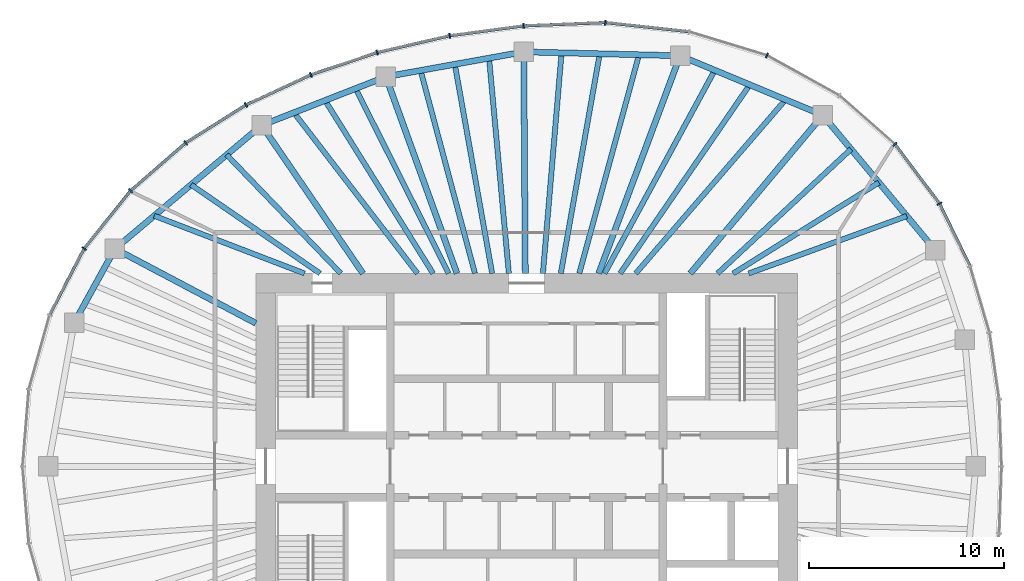
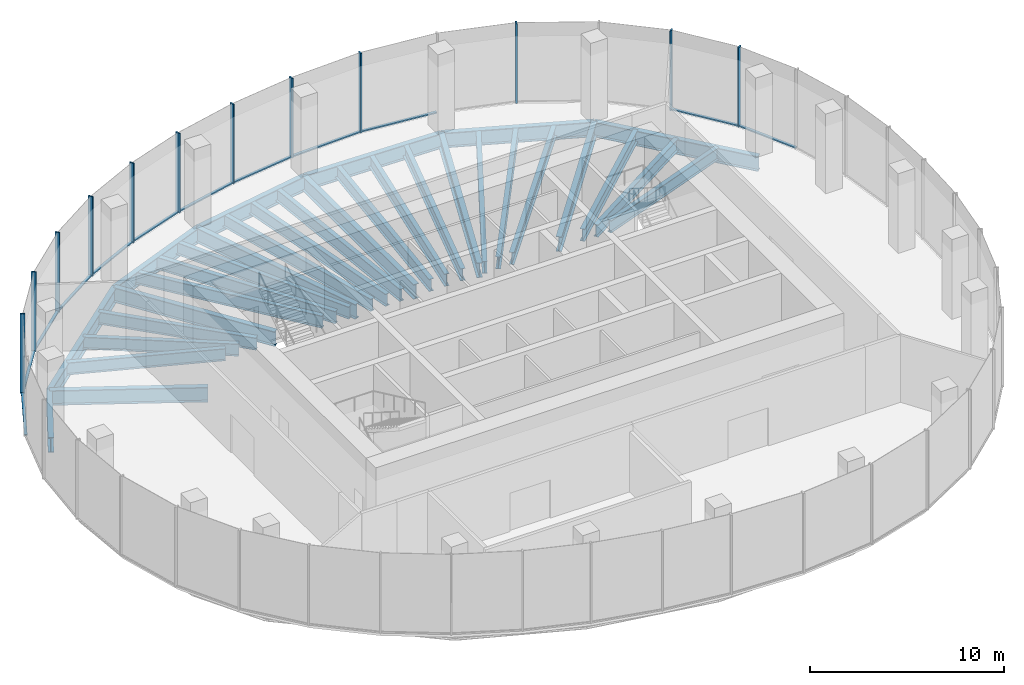
# One storey, part 5 of 11: 31 beams, 24 members, 8 elements without a shape of their own.
"""IFC4 building model written with IfcOpenShell, lengths in metres."""

from ifc_helpers import new_model, si_unit, direction, frame, origin, origin_2d, place, context, subcontext, project, spatial, rectangle, i_section, extrude, material, material_profile, profile_set, type_object, element, aggregate, save


model = new_model("IFC4")

# Units and contexts
model_context = context("Model", 3, precision=1e-05, world=origin(), true_north=direction((0.0, 1.0)))
body_context = subcontext(model_context, "Body", "Model", "MODEL_VIEW")
ifc_project = project(units=[si_unit("LENGTHUNIT", "METRE"), si_unit("AREAUNIT", "SQUARE_METRE"), si_unit("VOLUMEUNIT", "CUBIC_METRE"), si_unit("PLANEANGLEUNIT", "RADIAN"), si_unit("MASSUNIT", "GRAM", prefix="KILO")], contexts=[model_context])

# Site, building, storey
site_placement = place(None, origin())
site = spatial("IfcSite", under=ifc_project, at=site_placement, CompositionType="ELEMENT")
building_placement = place(site_placement, origin())
building = spatial("IfcBuilding", under=site, at=building_placement, Name="Ghaith Harvest Tower", CompositionType="ELEMENT")
storey_placement = place(building_placement, frame((0.0, 0.0, 339.199951171875)))
storey = spatial("IfcBuildingStorey", under=building, at=storey_placement, Name="L76", CompositionType="ELEMENT", Elevation=339.199951171875)

# Curtain wall, members
ifc_material_1 = material(Name="Black anodised aluminium and fritted glass", Category="aluminium")
curtain_wall_type = type_object("IfcCurtainWallType", Name="CW-C CURTAIN WALL", PredefinedType="NOTDEFINED", material=ifc_material_1)
curtain_wall_1_placement = place(storey_placement, origin())
curtain_wall_1 = element("IfcCurtainWall", 1, at=curtain_wall_1_placement, inside=storey, type_object=curtain_wall_type, Name="Curtain wall CW-C bay 03 L76", PredefinedType="NOTDEFINED")
ifc_material_2 = material(Name="Aluminium, black anodised", Category="aluminium")
ifc_material_profile_1 = material_profile(ifc_material_2, rectangle(XDim=0.080078125, YDim=0.260009765625, at=origin_2d()), Name="CW-C MULLION 80x260")
ifc_profile_set_1 = profile_set([ifc_material_profile_1], Name="Aluminium, black anodised")
member_type_1 = type_object("IfcMemberType", Name="CW-C MULLION 80x260", PredefinedType="MULLION", material=ifc_profile_set_1)
member_1_placement = place(storey_placement, frame((21.18896484375, 13.48486328125, 0.0), z_axis=(0.0, 0.0, 1.0), x_axis=(-0.524482238522, 0.851421388899, 0.0)))
member_1 = element("IfcMember", 2, at=member_1_placement, type_object=member_type_1, Name="CW-C mullion 1 bay 03 L76", PredefinedType="MULLION", context=body_context, shape_type="SweptSolid", body=[
    extrude(rectangle(XDim=0.080078125, YDim=0.260009765625, at=origin_2d()), origin(), (0.0, 0.0, 1.0), 5.0),
])
member_2_placement = place(storey_placement, frame((18.901123046875, 16.527099609375, 0.0), z_axis=(0.0, 0.0, 1.0), x_axis=(-0.679660897075, 0.733526458274, 0.0)))
member_2 = element("IfcMember", 3, at=member_2_placement, type_object=member_type_1, Name="CW-C mullion 2 bay 03 L76", PredefinedType="MULLION", context=body_context, shape_type="SweptSolid", body=[
    extrude(rectangle(XDim=0.080078125, YDim=0.260009765625, at=origin_2d()), origin(), (0.0, 0.0, 1.0), 5.0),
])

# Curtain wall, member
curtain_wall_2_placement = place(storey_placement, origin())
curtain_wall_2 = element("IfcCurtainWall", 4, at=curtain_wall_2_placement, inside=storey, type_object=curtain_wall_type, Name="Curtain wall CW-C bay 04 L76", PredefinedType="NOTDEFINED")
member_3_placement = place(storey_placement, frame((12.334228515625, 21.091796875, 0.0), z_axis=(0.0, 0.0, 1.0), x_axis=(-0.920319269246, 0.391168049123, 0.0)))
member_3 = element("IfcMember", 5, at=member_3_placement, type_object=member_type_1, Name="CW-C mullion 2 bay 04 L76", PredefinedType="MULLION", context=body_context, shape_type="SweptSolid", body=[
    extrude(rectangle(XDim=0.080078125, YDim=0.260009765625, at=origin_2d()), origin(), (0.0, 0.0, 1.0), 5.0),
])
aggregate(curtain_wall_2, [member_3])

curtain_wall_3_placement = place(storey_placement, origin())
curtain_wall_3 = element("IfcCurtainWall", 6, at=curtain_wall_3_placement, inside=storey, type_object=curtain_wall_type, Name="Curtain wall CW-C bay 05 L76", PredefinedType="NOTDEFINED")
member_4_placement = place(storey_placement, frame((4.037841796875, 22.776611328125, 0.0), z_axis=(0.0, 0.0, 1.0), x_axis=(-0.999388631236, 0.034962319079, 0.0)))
member_4 = element("IfcMember", 7, at=member_4_placement, type_object=member_type_1, Name="CW-C mullion 2 bay 05 L76", PredefinedType="MULLION", context=body_context, shape_type="SweptSolid", body=[
    extrude(rectangle(XDim=0.080078125, YDim=0.260009765625, at=origin_2d()), origin(), (0.0, 0.0, 1.0), 5.0),
])

# Curtain wall, members
curtain_wall_4_placement = place(storey_placement, origin())
curtain_wall_4 = element("IfcCurtainWall", 8, at=curtain_wall_4_placement, inside=storey, type_object=curtain_wall_type, Name="Curtain wall CW-C bay 06 L76", PredefinedType="NOTDEFINED")
member_5_placement = place(storey_placement, frame((-0.15478515625, 22.60595703125, 0.0), z_axis=(0.0, 0.0, 1.0), x_axis=(-0.996414855482, -0.084601629853, 0.0)))
member_5 = element("IfcMember", 9, at=member_5_placement, type_object=member_type_1, Name="CW-C mullion 1 bay 06 L76", PredefinedType="MULLION", context=body_context, shape_type="SweptSolid", body=[
    extrude(rectangle(XDim=0.080078125, YDim=0.260009765625, at=origin_2d()), origin(), (0.0, 0.0, 1.0), 5.0),
])
member_6_placement = place(storey_placement, frame((-3.946533203125, 22.0986328125, 0.0), z_axis=(0.0, 0.0, 1.0), x_axis=(-0.983843447681, -0.179030920389, 0.0)))
member_6 = element("IfcMember", 10, at=member_6_placement, type_object=member_type_1, Name="CW-C mullion 2 bay 06 L76", PredefinedType="MULLION", context=body_context, shape_type="SweptSolid", body=[
    extrude(rectangle(XDim=0.080078125, YDim=0.260009765625, at=origin_2d()), origin(), (0.0, 0.0, 1.0), 5.0),
])

curtain_wall_5_placement = place(storey_placement, origin())
curtain_wall_5 = element("IfcCurtainWall", 11, at=curtain_wall_5_placement, inside=storey, type_object=curtain_wall_type, Name="Curtain wall CW-C bay 07 L76", PredefinedType="NOTDEFINED")
member_7_placement = place(storey_placement, frame((-7.6708984375, 21.23828125, 0.0), z_axis=(0.0, 0.0, 1.0), x_axis=(-0.962552491436, -0.27109537294, 0.0)))
member_7 = element("IfcMember", 12, at=member_7_placement, type_object=member_type_1, Name="CW-C mullion 1 bay 07 L76", PredefinedType="MULLION", context=body_context, shape_type="SweptSolid", body=[
    extrude(rectangle(XDim=0.080078125, YDim=0.260009765625, at=origin_2d()), origin(), (0.0, 0.0, 1.0), 5.0),
])
member_8_placement = place(storey_placement, frame((-11.0673828125, 20.093017578125, 0.0), z_axis=(0.0, 0.0, 1.0), x_axis=(-0.928624420706, -0.371021138573, 0.0)))
member_8 = element("IfcMember", 13, at=member_8_placement, type_object=member_type_1, Name="CW-C mullion 2 bay 07 L76", PredefinedType="MULLION", context=body_context, shape_type="SweptSolid", body=[
    extrude(rectangle(XDim=0.080078125, YDim=0.260009765625, at=origin_2d()), origin(), (0.0, 0.0, 1.0), 5.0),
])

curtain_wall_6_placement = place(storey_placement, origin())
curtain_wall_6 = element("IfcCurtainWall", 14, at=curtain_wall_6_placement, inside=storey, type_object=curtain_wall_type, Name="Curtain wall CW-C bay 08 L76", PredefinedType="NOTDEFINED")
member_9_placement = place(storey_placement, frame((-14.40478515625, 18.5478515625, 0.0), z_axis=(0.0, 0.0, 1.0), x_axis=(-0.87867173244, -0.477426420101, 0.0)))
member_9 = element("IfcMember", 15, at=member_9_placement, type_object=member_type_1, Name="CW-C mullion 1 bay 08 L76", PredefinedType="MULLION", context=body_context, shape_type="SweptSolid", body=[
    extrude(rectangle(XDim=0.080078125, YDim=0.260009765625, at=origin_2d()), origin(), (0.0, 0.0, 1.0), 5.0),
])
member_10_placement = place(storey_placement, frame((-17.49462890625, 16.600830078125, 0.0), z_axis=(0.0, 0.0, 1.0), x_axis=(-0.802189888678, -0.597068993084, 0.0)))
member_10 = element("IfcMember", 16, at=member_10_placement, type_object=member_type_1, Name="CW-C mullion 2 bay 08 L76", PredefinedType="MULLION", context=body_context, shape_type="SweptSolid", body=[
    extrude(rectangle(XDim=0.080078125, YDim=0.260009765625, at=origin_2d()), origin(), (0.0, 0.0, 1.0), 5.0),
])

curtain_wall_7_placement = place(storey_placement, origin())
curtain_wall_7 = element("IfcCurtainWall", 17, at=curtain_wall_7_placement, inside=storey, type_object=curtain_wall_type, Name="Curtain wall CW-C bay 09 L76", PredefinedType="NOTDEFINED")
member_11_placement = place(storey_placement, frame((-20.324462890625, 14.141845703125, 0.0), z_axis=(0.0, 0.0, 1.0), x_axis=(-0.692826491995, -0.72110432809, 0.0)))
member_11 = element("IfcMember", 18, at=member_11_placement, type_object=member_type_1, Name="CW-C mullion 1 bay 09 L76", PredefinedType="MULLION", context=body_context, shape_type="SweptSolid", body=[
    extrude(rectangle(XDim=0.080078125, YDim=0.260009765625, at=origin_2d()), origin(), (0.0, 0.0, 1.0), 5.0),
])
member_12_placement = place(storey_placement, frame((-22.706298828125, 11.176513671875, 0.0), z_axis=(0.0, 0.0, 1.0), x_axis=(-0.545865412621, -0.837872872997, 0.0)))
member_12 = element("IfcMember", 19, at=member_12_placement, type_object=member_type_1, Name="CW-C mullion 2 bay 09 L76", PredefinedType="MULLION", context=body_context, shape_type="SweptSolid", body=[
    extrude(rectangle(XDim=0.080078125, YDim=0.260009765625, at=origin_2d()), origin(), (0.0, 0.0, 1.0), 5.0),
])

# Curtain wall, member
curtain_wall_8_placement = place(storey_placement, origin())
curtain_wall_8 = element("IfcCurtainWall", 20, at=curtain_wall_8_placement, inside=storey, type_object=curtain_wall_type, Name="Curtain wall CW-C bay 02 L76", PredefinedType="NOTDEFINED")
ifc_material_3 = material(Name="Aluminium, black anodised", Category="aluminium")
ifc_material_profile_2 = material_profile(ifc_material_3, rectangle(XDim=0.159912109375, YDim=0.080078125, at=origin_2d()), Name="CW-C TRANSOM 160x80")
ifc_profile_set_2 = profile_set([ifc_material_profile_2], Name="Aluminium, black anodised")
member_type_2 = type_object("IfcMemberType", Name="CW-C TRANSOM 160x80", PredefinedType="USERDEFINED", material=ifc_profile_set_2)
member_13_placement = place(storey_placement, frame((22.736572265625, 10.308349609375, 0.0400390625), z_axis=(-0.437965078712, 0.898991985408, 0.0), x_axis=(-0.898991985408, -0.437965078712, 0.0)))
member_13 = element("IfcMember", 21, at=member_13_placement, type_object=member_type_2, Name="CW-C transom 2 bay 02 L76", ObjectType="TRANSOM", PredefinedType="USERDEFINED", context=body_context, shape_type="SweptSolid", body=[
    extrude(rectangle(XDim=0.159912109375, YDim=0.080078125, at=origin_2d()), origin(), (0.0, 0.0, 1.0), 3.493408203125),
])
aggregate(curtain_wall_8, [member_13])

# Member
member_14_placement = place(storey_placement, frame((21.1650390625, 13.516845703125, 0.0400390625), z_axis=(-0.601079103045, 0.799189534392, 0.0), x_axis=(-0.799189534392, -0.601079103045, 0.0)))
member_14 = element("IfcMember", 22, at=member_14_placement, type_object=member_type_2, Name="CW-C transom 1 bay 03 L76", ObjectType="TRANSOM", PredefinedType="USERDEFINED", context=body_context, shape_type="SweptSolid", body=[
    extrude(rectangle(XDim=0.159912109375, YDim=0.080078125, at=origin_2d()), origin(), (0.0, 0.0, 1.0), 3.7265625),
])

aggregate(curtain_wall_1, [member_1, member_14, member_2])

member_15_placement = place(storey_placement, frame((8.300048828125, 22.313232421875, 0.0400390625), z_axis=(-0.994144463069, 0.108059180768, 0.0), x_axis=(-0.108059180768, -0.994144463069, 0.0)))
member_15 = element("IfcMember", 23, at=member_15_placement, type_object=member_type_2, Name="CW-C transom 1 bay 05 L76", ObjectType="TRANSOM", PredefinedType="USERDEFINED", context=body_context, shape_type="SweptSolid", body=[
    extrude(rectangle(XDim=0.159912109375, YDim=0.080078125, at=origin_2d()), origin(), (0.0, 0.0, 1.0), 4.24755859375),
])

member_16_placement = place(storey_placement, frame((3.997802734375, 22.77490234375, 0.0400390625), z_axis=(-0.999174207562, -0.040631304968, 0.0), x_axis=(0.040631304968, -0.999174207562, 0.0)))
member_16 = element("IfcMember", 24, at=member_16_placement, type_object=member_type_2, Name="CW-C transom 2 bay 05 L76", ObjectType="TRANSOM", PredefinedType="USERDEFINED", context=body_context, shape_type="SweptSolid", body=[
    extrude(rectangle(XDim=0.159912109375, YDim=0.080078125, at=origin_2d()), origin(), (0.0, 0.0, 1.0), 4.115966796875),
])

aggregate(curtain_wall_3, [member_15, member_4, member_16])

member_17_placement = place(storey_placement, frame((-0.1943359375, 22.6005859375, 0.0400390625), z_axis=(-0.99117202259, -0.132582131655, 0.0), x_axis=(0.132582131655, -0.99117202259, 0.0)))
member_17 = element("IfcMember", 25, at=member_17_placement, type_object=member_type_2, Name="CW-C transom 1 bay 06 L76", ObjectType="TRANSOM", PredefinedType="USERDEFINED", context=body_context, shape_type="SweptSolid", body=[
    extrude(rectangle(XDim=0.159912109375, YDim=0.080078125, at=origin_2d()), origin(), (0.0, 0.0, 1.0), 3.745361328125),
])

member_18_placement = place(storey_placement, frame((-3.9853515625, 22.089599609375, 0.0400390625), z_axis=(-0.974344997799, -0.225059603803, 0.0), x_axis=(0.225059603803, -0.974344997799, 0.0)))
member_18 = element("IfcMember", 26, at=member_18_placement, type_object=member_type_2, Name="CW-C transom 2 bay 06 L76", ObjectType="TRANSOM", PredefinedType="USERDEFINED", context=body_context, shape_type="SweptSolid", body=[
    extrude(rectangle(XDim=0.159912109375, YDim=0.080078125, at=origin_2d()), origin(), (0.0, 0.0, 1.0), 3.742431640625),
])

aggregate(curtain_wall_4, [member_5, member_17, member_6, member_18])

member_19_placement = place(storey_placement, frame((-7.708740234375, 21.2255859375, 0.0400390625), z_axis=(-0.9475698206, -0.319548799228, 0.0), x_axis=(0.319548799228, -0.9475698206, 0.0)))
member_19 = element("IfcMember", 27, at=member_19_placement, type_object=member_type_2, Name="CW-C transom 1 bay 07 L76", ObjectType="TRANSOM", PredefinedType="USERDEFINED", context=body_context, shape_type="SweptSolid", body=[
    extrude(rectangle(XDim=0.159912109375, YDim=0.080078125, at=origin_2d()), origin(), (0.0, 0.0, 1.0), 3.504638671875),
])

member_20_placement = place(storey_placement, frame((-11.103759765625, 20.076171875, 0.0400390625), z_axis=(-0.907472177056, -0.420112184862, 0.0), x_axis=(0.420112184862, -0.907472177056, 0.0)))
member_20 = element("IfcMember", 28, at=member_20_placement, type_object=member_type_2, Name="CW-C transom 2 bay 07 L76", ObjectType="TRANSOM", PredefinedType="USERDEFINED", context=body_context, shape_type="SweptSolid", body=[
    extrude(rectangle(XDim=0.159912109375, YDim=0.080078125, at=origin_2d()), origin(), (0.0, 0.0, 1.0), 3.597900390625),
])

aggregate(curtain_wall_5, [member_7, member_19, member_8, member_20])

member_21_placement = place(storey_placement, frame((-14.438720703125, 18.5263671875, 0.0400390625), z_axis=(-0.846053602505, -0.533097835006, 0.0), x_axis=(0.533097835006, -0.846053602505, 0.0)))
member_21 = element("IfcMember", 29, at=member_21_placement, type_object=member_type_2, Name="CW-C transom 1 bay 08 L76", ObjectType="TRANSOM", PredefinedType="USERDEFINED", context=body_context, shape_type="SweptSolid", body=[
    extrude(rectangle(XDim=0.159912109375, YDim=0.080078125, at=origin_2d()), origin(), (0.0, 0.0, 1.0), 3.572021484375),
])

member_22_placement = place(storey_placement, frame((-17.52490234375, 16.574462890625, 0.0400390625), z_axis=(-0.754851889287, -0.65589528527, 0.0), x_axis=(0.65589528527, -0.754851889287, 0.0)))
member_22 = element("IfcMember", 30, at=member_22_placement, type_object=member_type_2, Name="CW-C transom 2 bay 08 L76", ObjectType="TRANSOM", PredefinedType="USERDEFINED", context=body_context, shape_type="SweptSolid", body=[
    extrude(rectangle(XDim=0.159912109375, YDim=0.080078125, at=origin_2d()), origin(), (0.0, 0.0, 1.0), 3.668701171875),
])

aggregate(curtain_wall_6, [member_9, member_21, member_10, member_22])

member_23_placement = place(storey_placement, frame((-20.349365234375, 14.110595703125, 0.0400390625), z_axis=(-0.626253073761, -0.779619835307, 0.0), x_axis=(0.779619835307, -0.626253073761, 0.0)))
member_23 = element("IfcMember", 31, at=member_23_placement, type_object=member_type_2, Name="CW-C transom 1 bay 09 L76", ObjectType="TRANSOM", PredefinedType="USERDEFINED", context=body_context, shape_type="SweptSolid", body=[
    extrude(rectangle(XDim=0.159912109375, YDim=0.080078125, at=origin_2d()), origin(), (0.0, 0.0, 1.0), 3.723388671875),
])

member_24_placement = place(storey_placement, frame((-22.724609375, 11.14111328125, 0.0400390625), z_axis=(-0.461242681347, -0.887274021317, 0.0), x_axis=(0.887274021317, -0.461242681347, 0.0)))
member_24 = element("IfcMember", 32, at=member_24_placement, type_object=member_type_2, Name="CW-C transom 2 bay 09 L76", ObjectType="TRANSOM", PredefinedType="USERDEFINED", context=body_context, shape_type="SweptSolid", body=[
    extrude(rectangle(XDim=0.159912109375, YDim=0.080078125, at=origin_2d()), origin(), (0.0, 0.0, 1.0), 3.77197265625),
])

aggregate(curtain_wall_7, [member_11, member_23, member_12, member_24])

# Beams
ifc_material_4 = material(Name="Steel ASTM A992 Grade 50", Category="steel")
ifc_material_profile_3 = material_profile(ifc_material_4, i_section(OverallWidth=0.306884765625, OverallDepth=0.94189453125, WebThickness=0.022216796875, FlangeThickness=0.039794921875, at=origin_2d()), Name="W920X345")
ifc_profile_set_3 = profile_set([ifc_material_profile_3], Name="Steel ASTM A992 Grade 50")
beam_type_1 = type_object("IfcBeamType", Name="E920-345 W920X345", PredefinedType="SPANDREL", material=ifc_profile_set_3)
beam_1_placement = place(storey_placement, frame((20.97705078125, 11.087890625, -0.77099609375), z_axis=(-0.640173759088, 0.76823014662, 0.0), x_axis=(-0.76823014662, -0.640173759088, 0.0)))
element("IfcBeam", 33, at=beam_1_placement, inside=storey, type_object=beam_type_1, Name="Edge beam E03 L76", PredefinedType="SPANDREL", context=body_context, shape_type="SweptSolid", body=[
    extrude(i_section(OverallWidth=0.306884765625, OverallDepth=0.94189453125, WebThickness=0.022216796875, FlangeThickness=0.039794921875, at=origin_2d()), origin(), (0.0, 0.0, 1.0), 9.02734375),
])
beam_2_placement = place(storey_placement, frame((15.197998046875, 18.02294921875, -0.77099609375), z_axis=(-0.923119729219, 0.384512633766, 0.0), x_axis=(-0.384512633766, -0.923119729219, 0.0)))
element("IfcBeam", 34, at=beam_2_placement, inside=storey, type_object=beam_type_1, Name="Edge beam E04 L76", PredefinedType="SPANDREL", context=body_context, shape_type="SweptSolid", body=[
    extrude(i_section(OverallWidth=0.306884765625, OverallDepth=0.94189453125, WebThickness=0.022216796875, FlangeThickness=0.039794921875, at=origin_2d()), origin(), (0.0, 0.0, 1.0), 7.9296875),
])
beam_3_placement = place(storey_placement, frame((7.8779296875, 21.072021484375, -0.77099609375), z_axis=(-0.999692679676, 0.024790042413, 0.0), x_axis=(-0.024790042413, -0.999692679676, 0.0)))
element("IfcBeam", 35, at=beam_3_placement, inside=storey, type_object=beam_type_1, Name="Edge beam E05 L76", PredefinedType="SPANDREL", context=body_context, shape_type="SweptSolid", body=[
    extrude(i_section(OverallWidth=0.306884765625, OverallDepth=0.94189453125, WebThickness=0.022216796875, FlangeThickness=0.039794921875, at=origin_2d()), origin(), (0.0, 0.0, 1.0), 8.0263671875),
])
beam_4_placement = place(storey_placement, frame((-0.14599609375, 21.27099609375, -0.77099609375), z_axis=(-0.984177047684, -0.177187863051, 0.0), x_axis=(0.177187863051, -0.984177047684, 0.0)))
element("IfcBeam", 36, at=beam_4_placement, inside=storey, type_object=beam_type_1, Name="Edge beam E06 L76", PredefinedType="SPANDREL", context=body_context, shape_type="SweptSolid", body=[
    extrude(i_section(OverallWidth=0.306884765625, OverallDepth=0.94189453125, WebThickness=0.022216796875, FlangeThickness=0.039794921875, at=origin_2d()), origin(), (0.0, 0.0, 1.0), 7.189697265625),
])
beam_5_placement = place(storey_placement, frame((-7.221923828125, 19.9970703125, -0.77099609375), z_axis=(-0.931322768207, -0.364194867371, 0.0), x_axis=(0.364194867371, -0.931322768207, 0.0)))
element("IfcBeam", 37, at=beam_5_placement, inside=storey, type_object=beam_type_1, Name="Edge beam E07 L76", PredefinedType="SPANDREL", context=body_context, shape_type="SweptSolid", body=[
    extrude(i_section(OverallWidth=0.306884765625, OverallDepth=0.94189453125, WebThickness=0.022216796875, FlangeThickness=0.039794921875, at=origin_2d()), origin(), (0.0, 0.0, 1.0), 6.843017578125),
])
beam_6_placement = place(storey_placement, frame((-13.594970703125, 17.5048828125, -0.77099609375), z_axis=(-0.765021818761, -0.64400436087, 0.0), x_axis=(0.64400436087, -0.765021818761, 0.0)))
element("IfcBeam", 38, at=beam_6_placement, inside=storey, type_object=beam_type_1, Name="Edge beam E08 L76", PredefinedType="SPANDREL", context=body_context, shape_type="SweptSolid", body=[
    extrude(i_section(OverallWidth=0.306884765625, OverallDepth=0.94189453125, WebThickness=0.022216796875, FlangeThickness=0.039794921875, at=origin_2d()), origin(), (0.0, 0.0, 1.0), 9.8427734375),
])
beam_7_placement = place(storey_placement, frame((-21.125, 11.166015625, -0.77099609375), z_axis=(-0.482955575345, -0.875644855089, 0.0), x_axis=(0.875644855089, -0.482955575345, 0.0)))
element("IfcBeam", 39, at=beam_7_placement, inside=storey, type_object=beam_type_1, Name="Edge beam E09 L76", PredefinedType="SPANDREL", context=body_context, shape_type="SweptSolid", body=[
    extrude(i_section(OverallWidth=0.306884765625, OverallDepth=0.94189453125, WebThickness=0.022216796875, FlangeThickness=0.039794921875, at=origin_2d()), origin(), (0.0, 0.0, 1.0), 4.346435546875),
])
ifc_material_5 = material(Name="Steel ASTM A992 Grade 50", Category="steel")
ifc_material_profile_4 = material_profile(ifc_material_5, i_section(OverallWidth=0.31005859375, OverallDepth=0.927001953125, WebThickness=0.019287109375, FlangeThickness=0.031982421875, at=origin_2d()), Name="W920X289")
ifc_profile_set_4 = profile_set([ifc_material_profile_4], Name="Steel ASTM A992 Grade 50")
beam_type_2 = type_object("IfcBeamType", Name="G920-289 W920X289", PredefinedType="BEAM", material=ifc_profile_set_4)
beam_8_placement = place(storey_placement, frame((8.39990234375, 9.89990234375, -0.763427734375), z_axis=(0.641792628883, 0.766878231215, 0.0), x_axis=(-0.766878231215, 0.641792628883, 0.0)))
element("IfcBeam", 40, at=beam_8_placement, inside=storey, type_object=beam_type_2, Name="Radial girder G04 L76", PredefinedType="BEAM", context=body_context, shape_type="SweptSolid", body=[
    extrude(i_section(OverallWidth=0.31005859375, OverallDepth=0.927001953125, WebThickness=0.019287109375, FlangeThickness=0.031982421875, at=origin_2d()), origin(), (0.0, 0.0, 1.0), 10.59228515625),
])
beam_9_placement = place(storey_placement, frame((3.700927734375, 9.89990234375, -0.763427734375), z_axis=(0.350201332531, 0.936674450753, 0.0), x_axis=(-0.936674450753, 0.350201332531, 0.0)))
element("IfcBeam", 41, at=beam_9_placement, inside=storey, type_object=beam_type_2, Name="Radial girder G05 L76", PredefinedType="BEAM", context=body_context, shape_type="SweptSolid", body=[
    extrude(i_section(OverallWidth=0.31005859375, OverallDepth=0.927001953125, WebThickness=0.019287109375, FlangeThickness=0.031982421875, at=origin_2d()), origin(), (0.0, 0.0, 1.0), 11.927490234375),
])
beam_10_placement = place(storey_placement, frame((-0.06787109375, 9.89990234375, -0.763427734375), z_axis=(-0.00687032909, 0.999976399011, 0.0), x_axis=(-0.999976399011, -0.00687032909, 0.0)))
element("IfcBeam", 42, at=beam_10_placement, inside=storey, type_object=beam_type_2, Name="Radial girder G06 L76", PredefinedType="BEAM", context=body_context, shape_type="SweptSolid", body=[
    extrude(i_section(OverallWidth=0.31005859375, OverallDepth=0.927001953125, WebThickness=0.019287109375, FlangeThickness=0.031982421875, at=origin_2d()), origin(), (0.0, 0.0, 1.0), 11.371337890625),
])
beam_11_placement = place(storey_placement, frame((-3.57568359375, 9.89990234375, -0.763427734375), z_axis=(-0.339647816823, 0.940552688863, 0.0), x_axis=(-0.940552688863, -0.339647816823, 0.0)))
element("IfcBeam", 43, at=beam_11_placement, inside=storey, type_object=beam_type_2, Name="Radial girder G07 L76", PredefinedType="BEAM", context=body_context, shape_type="SweptSolid", body=[
    extrude(i_section(OverallWidth=0.31005859375, OverallDepth=0.927001953125, WebThickness=0.019287109375, FlangeThickness=0.031982421875, at=origin_2d()), origin(), (0.0, 0.0, 1.0), 10.7353515625),
])
beam_12_placement = place(storey_placement, frame((-8.39990234375, 9.89990234375, -0.763427734375), z_axis=(-0.564067018201, 0.825729010619, 0.0), x_axis=(-0.825729010619, -0.564067018201, 0.0)))
element("IfcBeam", 44, at=beam_12_placement, inside=storey, type_object=beam_type_2, Name="Radial girder G08 L76", PredefinedType="BEAM", context=body_context, shape_type="SweptSolid", body=[
    extrude(i_section(OverallWidth=0.31005859375, OverallDepth=0.927001953125, WebThickness=0.019287109375, FlangeThickness=0.031982421875, at=origin_2d()), origin(), (0.0, 0.0, 1.0), 9.2099609375),
])
beam_13_placement = place(storey_placement, frame((-13.89990234375, 7.34716796875, -0.763427734375), z_axis=(-0.88410164037, 0.467294649546, 0.0), x_axis=(-0.467294649546, -0.88410164037, 0.0)))
element("IfcBeam", 45, at=beam_13_placement, inside=storey, type_object=beam_type_2, Name="Radial girder G09 L76", PredefinedType="BEAM", context=body_context, shape_type="SweptSolid", body=[
    extrude(i_section(OverallWidth=0.31005859375, OverallDepth=0.927001953125, WebThickness=0.019287109375, FlangeThickness=0.031982421875, at=origin_2d()), origin(), (0.0, 0.0, 1.0), 8.17236328125),
])
ifc_material_6 = material(Name="Steel ASTM A992 Grade 50", Category="steel")
ifc_material_profile_5 = material_profile(ifc_material_6, i_section(OverallWidth=0.26806640625, OverallDepth=0.77001953125, WebThickness=0.015625, FlangeThickness=0.025390625, at=origin_2d()), Name="W760X196")
ifc_profile_set_5 = profile_set([ifc_material_profile_5], Name="Steel ASTM A992 Grade 50")
beam_type_3 = type_object("IfcBeamType", Name="J760-196 W760X196", PredefinedType="JOIST", material=ifc_profile_set_5)
beam_14_placement = place(storey_placement, frame((11.39990234375, 9.89990234375, -0.68505859375), z_axis=(0.939925501564, 0.341379629605, 0.0), x_axis=(-0.341379629605, 0.939925501564, 0.0)))
element("IfcBeam", 46, at=beam_14_placement, inside=storey, type_object=beam_type_3, Name="Joist J03.1 L76", PredefinedType="JOIST", context=body_context, shape_type="SweptSolid", body=[
    extrude(i_section(OverallWidth=0.26806640625, OverallDepth=0.77001953125, WebThickness=0.015625, FlangeThickness=0.025390625, at=origin_2d()), origin(), (0.0, 0.0, 1.0), 8.630615234375),
])
beam_15_placement = place(storey_placement, frame((10.60009765625, 9.89990234375, -0.68505859375), z_axis=(0.84837619421, 0.52939383553, 0.0), x_axis=(-0.52939383553, 0.84837619421, 0.0)))
element("IfcBeam", 47, at=beam_15_placement, inside=storey, type_object=beam_type_3, Name="Joist J03.2 L76", PredefinedType="JOIST", context=body_context, shape_type="SweptSolid", body=[
    extrude(i_section(OverallWidth=0.26806640625, OverallDepth=0.77001953125, WebThickness=0.015625, FlangeThickness=0.025390625, at=origin_2d()), origin(), (0.0, 0.0, 1.0), 8.814697265625),
])
beam_16_placement = place(storey_placement, frame((9.800048828125, 9.89990234375, -0.68505859375), z_axis=(0.73164904944, 0.681681500742, 0.0), x_axis=(-0.681681500742, 0.73164904944, 0.0)))
element("IfcBeam", 48, at=beam_16_placement, inside=storey, type_object=beam_type_3, Name="Joist J03.3 L76", PredefinedType="JOIST", context=body_context, shape_type="SweptSolid", body=[
    extrude(i_section(OverallWidth=0.26806640625, OverallDepth=0.77001953125, WebThickness=0.015625, FlangeThickness=0.025390625, at=origin_2d()), origin(), (0.0, 0.0, 1.0), 9.361572265625),
])
beam_17_placement = place(storey_placement, frame((5.60009765625, 9.89990234375, -0.68505859375), z_axis=(0.652992938501, 0.757363995888, 0.0), x_axis=(-0.757363995888, 0.652992938501, 0.0)))
element("IfcBeam", 49, at=beam_17_placement, inside=storey, type_object=beam_type_3, Name="Joist J04.1 L76", PredefinedType="JOIST", context=body_context, shape_type="SweptSolid", body=[
    extrude(i_section(OverallWidth=0.26806640625, OverallDepth=0.77001953125, WebThickness=0.015625, FlangeThickness=0.025390625, at=origin_2d()), origin(), (0.0, 0.0, 1.0), 11.775390625),
])
beam_18_placement = place(storey_placement, frame((4.800048828125, 9.89990234375, -0.68505859375), z_axis=(0.566228035119, 0.824248634967, 0.0), x_axis=(-0.824248634967, 0.566228035119, 0.0)))
element("IfcBeam", 50, at=beam_18_placement, inside=storey, type_object=beam_type_3, Name="Joist J04.2 L76", PredefinedType="JOIST", context=body_context, shape_type="SweptSolid", body=[
    extrude(i_section(OverallWidth=0.26806640625, OverallDepth=0.77001953125, WebThickness=0.015625, FlangeThickness=0.025390625, at=origin_2d()), origin(), (0.0, 0.0, 1.0), 11.748046875),
])
beam_19_placement = place(storey_placement, frame((4.0, 9.89990234375, -0.68505859375), z_axis=(0.476764926531, 0.879030832696, 0.0), x_axis=(-0.879030832696, 0.476764926531, 0.0)))
element("IfcBeam", 51, at=beam_19_placement, inside=storey, type_object=beam_type_3, Name="Joist J04.3 L76", PredefinedType="JOIST", context=body_context, shape_type="SweptSolid", body=[
    extrude(i_section(OverallWidth=0.26806640625, OverallDepth=0.77001953125, WebThickness=0.015625, FlangeThickness=0.025390625, at=origin_2d()), origin(), (0.0, 0.0, 1.0), 11.866455078125),
])
beam_20_placement = place(storey_placement, frame((2.70361328125, 9.89990234375, -0.68505859375), z_axis=(0.263456499314, 0.964671277156, 0.0), x_axis=(-0.964671277156, 0.263456499314, 0.0)))
element("IfcBeam", 52, at=beam_20_placement, inside=storey, type_object=beam_type_3, Name="Joist J05.1 L76", PredefinedType="JOIST", context=body_context, shape_type="SweptSolid", body=[
    extrude(i_section(OverallWidth=0.26806640625, OverallDepth=0.77001953125, WebThickness=0.015625, FlangeThickness=0.025390625, at=origin_2d()), origin(), (0.0, 0.0, 1.0), 11.635498046875),
])
beam_21_placement = place(storey_placement, frame((1.7548828125, 9.89990234375, -0.68505859375), z_axis=(0.174562528022, 0.984646090639, 0.0), x_axis=(-0.984646090639, 0.174562528022, 0.0)))
element("IfcBeam", 53, at=beam_21_placement, inside=storey, type_object=beam_type_3, Name="Joist J05.2 L76", PredefinedType="JOIST", context=body_context, shape_type="SweptSolid", body=[
    extrude(i_section(OverallWidth=0.26806640625, OverallDepth=0.77001953125, WebThickness=0.015625, FlangeThickness=0.025390625, at=origin_2d()), origin(), (0.0, 0.0, 1.0), 11.4501953125),
])
beam_22_placement = place(storey_placement, frame((0.836669921875, 9.89990234375, -0.68505859375), z_axis=(0.084199386432, 0.996448926601, 0.0), x_axis=(-0.996448926601, 0.084199386432, 0.0)))
element("IfcBeam", 54, at=beam_22_placement, inside=storey, type_object=beam_type_3, Name="Joist J05.3 L76", PredefinedType="JOIST", context=body_context, shape_type="SweptSolid", body=[
    extrude(i_section(OverallWidth=0.26806640625, OverallDepth=0.77001953125, WebThickness=0.015625, FlangeThickness=0.025390625, at=origin_2d()), origin(), (0.0, 0.0, 1.0), 11.36328125),
])
beam_23_placement = place(storey_placement, frame((-0.9111328125, 9.89990234375, -0.68505859375), z_axis=(-0.091654473201, 0.995790870385, 0.0), x_axis=(-0.995790870385, -0.091654473201, 0.0)))
element("IfcBeam", 55, at=beam_23_placement, inside=storey, type_object=beam_type_3, Name="Joist J06.1 L76", PredefinedType="JOIST", context=body_context, shape_type="SweptSolid", body=[
    extrude(i_section(OverallWidth=0.26806640625, OverallDepth=0.77001953125, WebThickness=0.015625, FlangeThickness=0.025390625, at=origin_2d()), origin(), (0.0, 0.0, 1.0), 11.096923828125),
])
beam_24_placement = place(storey_placement, frame((-1.76806640625, 9.89990234375, -0.68505859375), z_axis=(-0.175789088574, 0.984427852277, 0.0), x_axis=(-0.984427852277, -0.175789088574, 0.0)))
element("IfcBeam", 56, at=beam_24_placement, inside=storey, type_object=beam_type_3, Name="Joist J06.2 L76", PredefinedType="JOIST", context=body_context, shape_type="SweptSolid", body=[
    extrude(i_section(OverallWidth=0.26806640625, OverallDepth=0.77001953125, WebThickness=0.015625, FlangeThickness=0.025390625, at=origin_2d()), origin(), (0.0, 0.0, 1.0), 10.903564453125),
])
beam_25_placement = place(storey_placement, frame((-2.651123046875, 9.89990234375, -0.68505859375), z_axis=(-0.258678376387, 0.96596350738, 0.0), x_axis=(-0.96596350738, -0.258678376387, 0.0)))
element("IfcBeam", 57, at=beam_25_placement, inside=storey, type_object=beam_type_3, Name="Joist J06.3 L76", PredefinedType="JOIST", context=body_context, shape_type="SweptSolid", body=[
    extrude(i_section(OverallWidth=0.26806640625, OverallDepth=0.77001953125, WebThickness=0.015625, FlangeThickness=0.025390625, at=origin_2d()), origin(), (0.0, 0.0, 1.0), 10.784912109375),
])
beam_26_placement = place(storey_placement, frame((-4.0, 9.89990234375, -0.68505859375), z_axis=(-0.449556131123, 0.893252083664, 0.0), x_axis=(-0.893252083664, -0.449556131123, 0.0)))
element("IfcBeam", 58, at=beam_26_placement, inside=storey, type_object=beam_type_3, Name="Joist J07.1 L76", PredefinedType="JOIST", context=body_context, shape_type="SweptSolid", body=[
    extrude(i_section(OverallWidth=0.26806640625, OverallDepth=0.77001953125, WebThickness=0.015625, FlangeThickness=0.025390625, at=origin_2d()), origin(), (0.0, 0.0, 1.0), 10.62353515625),
])
beam_27_placement = place(storey_placement, frame((-4.800048828125, 9.89990234375, -0.68505859375), z_axis=(-0.529596254905, 0.848249849273, 0.0), x_axis=(-0.848249849273, -0.529596254905, 0.0)))
element("IfcBeam", 59, at=beam_27_placement, inside=storey, type_object=beam_type_3, Name="Joist J07.2 L76", PredefinedType="JOIST", context=body_context, shape_type="SweptSolid", body=[
    extrude(i_section(OverallWidth=0.26806640625, OverallDepth=0.77001953125, WebThickness=0.015625, FlangeThickness=0.025390625, at=origin_2d()), origin(), (0.0, 0.0, 1.0), 10.465087890625),
])
beam_28_placement = place(storey_placement, frame((-5.60009765625, 9.89990234375, -0.68505859375), z_axis=(-0.609353577926, 0.792898617144, 0.0), x_axis=(-0.792898617144, -0.609353577926, 0.0)))
element("IfcBeam", 60, at=beam_28_placement, inside=storey, type_object=beam_type_3, Name="Joist J07.3 L76", PredefinedType="JOIST", context=body_context, shape_type="SweptSolid", body=[
    extrude(i_section(OverallWidth=0.26806640625, OverallDepth=0.77001953125, WebThickness=0.015625, FlangeThickness=0.025390625, at=origin_2d()), origin(), (0.0, 0.0, 1.0), 10.406982421875),
])
beam_29_placement = place(storey_placement, frame((-9.530517578125, 9.89990234375, -0.68505859375), z_axis=(-0.693536238632, 0.720421741554, 0.0), x_axis=(-0.720421741554, -0.693536238632, 0.0)))
element("IfcBeam", 61, at=beam_29_placement, inside=storey, type_object=beam_type_3, Name="Joist J08.1 L76", PredefinedType="JOIST", context=body_context, shape_type="SweptSolid", body=[
    extrude(i_section(OverallWidth=0.26806640625, OverallDepth=0.77001953125, WebThickness=0.015625, FlangeThickness=0.025390625, at=origin_2d()), origin(), (0.0, 0.0, 1.0), 8.4541015625),
])
beam_30_placement = place(storey_placement, frame((-10.60009765625, 9.89990234375, -0.68505859375), z_axis=(-0.823778502511, 0.566911791023, 0.0), x_axis=(-0.566911791023, -0.823778502511, 0.0)))
element("IfcBeam", 62, at=beam_30_placement, inside=storey, type_object=beam_type_3, Name="Joist J08.2 L76", PredefinedType="JOIST", context=body_context, shape_type="SweptSolid", body=[
    extrude(i_section(OverallWidth=0.26806640625, OverallDepth=0.77001953125, WebThickness=0.015625, FlangeThickness=0.025390625, at=origin_2d()), origin(), (0.0, 0.0, 1.0), 8.0341796875),
])
beam_31_placement = place(storey_placement, frame((-11.39990234375, 9.89990234375, -0.68505859375), z_axis=(-0.933583045329, 0.358361127181, 0.0), x_axis=(-0.358361127181, -0.933583045329, 0.0)))
element("IfcBeam", 63, at=beam_31_placement, inside=storey, type_object=beam_type_3, Name="Joist J08.3 L76", PredefinedType="JOIST", context=body_context, shape_type="SweptSolid", body=[
    extrude(i_section(OverallWidth=0.26806640625, OverallDepth=0.77001953125, WebThickness=0.015625, FlangeThickness=0.025390625, at=origin_2d()), origin(), (0.0, 0.0, 1.0), 8.260986328125),
])

save(model, "model.ifc")
